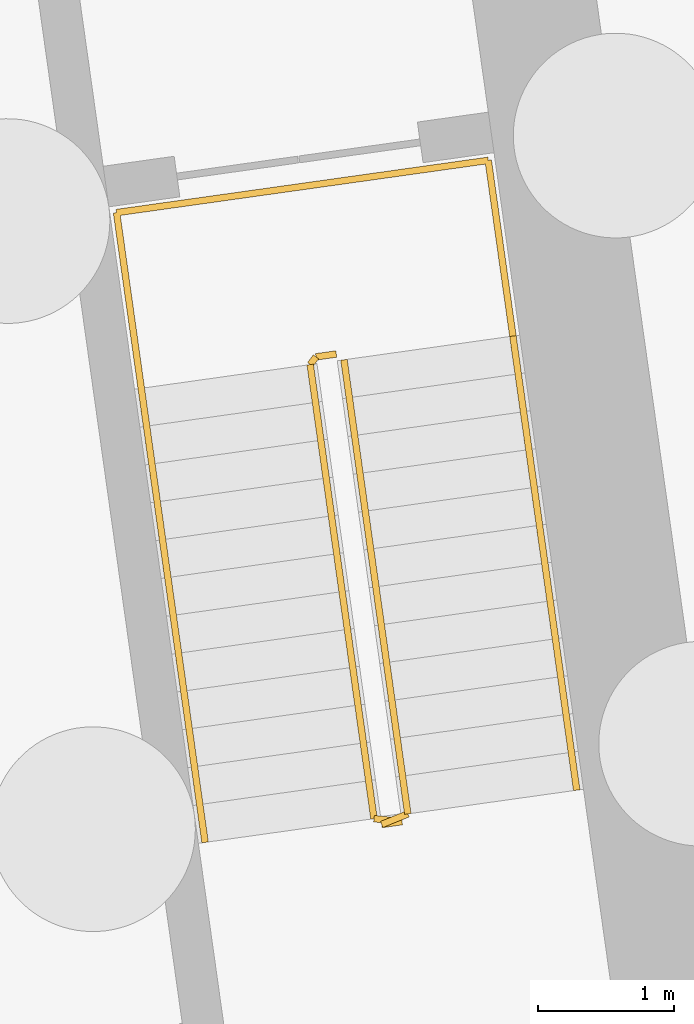
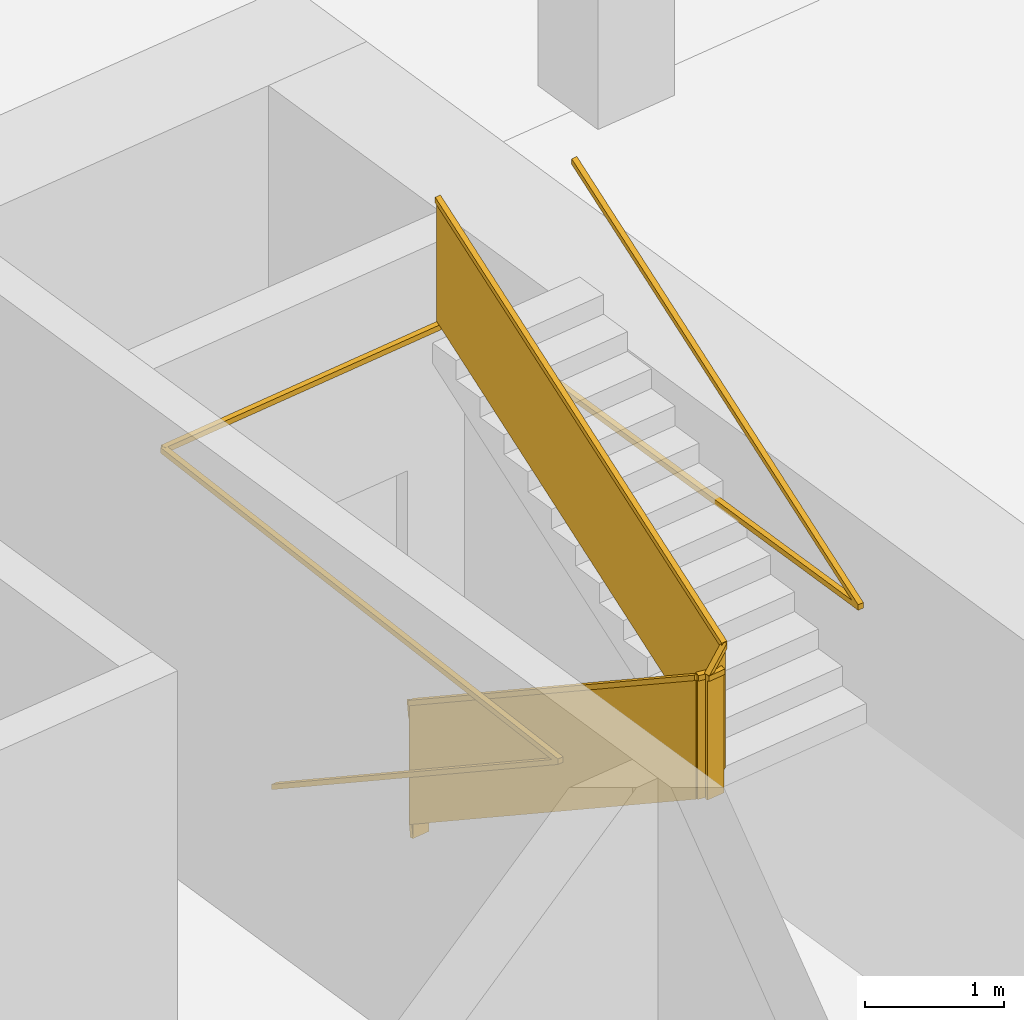
# One storey, part 18 of 19: 2 railings.
"""IFC4 building model written with IfcOpenShell, lengths in metres."""

from ifc_helpers import new_model, si_unit, direction, frame, origin, origin_2d, place, context, subcontext, project, spatial, rectangle, extrude, material, type_object, element, save


model = new_model("IFC4")

# Units and contexts
model_context = context("Model", 3, precision=1e-05, world=origin(), true_north=direction((0.0, 1.0)))
body_context = subcontext(model_context, "Body", "Model", "MODEL_VIEW")
ifc_project = project(units=[si_unit("LENGTHUNIT", "METRE"), si_unit("AREAUNIT", "SQUARE_METRE"), si_unit("VOLUMEUNIT", "CUBIC_METRE"), si_unit("PLANEANGLEUNIT", "RADIAN"), si_unit("MASSUNIT", "GRAM", prefix="KILO")], contexts=[model_context])

# Site, building, storey
site_placement = place(None, origin())
site = spatial("IfcSite", under=ifc_project, at=site_placement, CompositionType="ELEMENT")
building_placement = place(site_placement, origin())
building = spatial("IfcBuilding", under=site, at=building_placement, Name="Mirante Cascada Hotel Towers", CompositionType="ELEMENT")
storey_placement = place(building_placement, frame((0.0, 0.0, -9.0)))
storey = spatial("IfcBuildingStorey", under=building, at=storey_placement, Name="B2", CompositionType="ELEMENT", Elevation=-9.0)

# Railings
ifc_material_1 = material(Name="Painted steel", Category="steel")
railing_type_1 = type_object("IfcRailingType", Name="Stair guard 1100 steel balustrade", PredefinedType="GUARDRAIL", material=ifc_material_1)
railing_1_placement = place(storey_placement, frame((87.1361, -4.3713, 0.0)))
element("IfcRailing", 1, at=railing_1_placement, inside=storey, type_object=railing_type_1, Name="B2 ST2-C stair guard 1", PredefinedType="GUARDRAIL", context=body_context, shape_type="SweptSolid", body=[
    extrude(rectangle(XDim=0.048, YDim=0.048, at=origin_2d()), frame((0.0, 0.0, 1.076), z_axis=(-0.9902537, -0.1392753, 0.0), x_axis=(0.1392753, -0.9902537, 0.0)), (0.0, 0.0, 1.0), 0.1501),
    extrude(rectangle(XDim=0.02, YDim=1.052, at=origin_2d()), frame((0.0, 0.0, 0.526), z_axis=(-0.9902537, -0.1392753, 0.0), x_axis=(0.1392753, -0.9902537, 0.0)), (0.0, 0.0, 1.0), 0.1501),
    extrude(rectangle(XDim=0.048, YDim=0.048, at=origin_2d()), frame((-0.1486, -0.0209, 1.076), z_axis=(-0.601811, -0.7986386, 0.0), x_axis=(0.7986386, -0.601811, 0.0)), (0.0, 0.9259092, 0.3777462), 0.187),
    extrude(rectangle(XDim=0.02, YDim=1.052, at=origin_2d()), frame((-0.1486, -0.0209, 0.526), z_axis=(-0.601811, -0.7986386, 0.0), x_axis=(0.7986386, -0.601811, 0.0)), (0.0, 0.9259092, 0.3777462), 0.187),
    extrude(rectangle(XDim=0.048, YDim=0.048, at=origin_2d()), frame((-0.1911, -0.0773, 1.2491), z_axis=(0.1391668, -0.990269, 0.0), x_axis=(0.990269, 0.1391668, 0.0)), (0.0, 0.5257875, 0.8506159), 3.9501),
    extrude(rectangle(XDim=0.02, YDim=1.052, at=origin_2d()), frame((-0.1911, -0.0773, 0.6991), z_axis=(0.1391668, -0.990269, 0.0), x_axis=(0.990269, 0.1391668, 0.0)), (0.0, 0.5257875, 0.8506159), 3.9501),
    extrude(rectangle(XDim=0.048, YDim=0.048, at=origin_2d()), frame((0.2765, -3.4046, 3.326), z_axis=(0.9944441, -0.1052656, 0.0), x_axis=(0.1052656, 0.9944441, 0.0)), (0.0, 0.0, 1.0), 0.2061),
    extrude(rectangle(XDim=0.02, YDim=1.052, at=origin_2d()), frame((0.2765, -3.4046, 2.776), z_axis=(0.9944441, -0.1052656, 0.0), x_axis=(0.1052656, 0.9944441, 0.0)), (0.0, 0.0, 1.0), 0.2061),
    extrude(rectangle(XDim=0.048, YDim=0.048, at=origin_2d()), frame((0.4815, -3.4263, 3.326), z_axis=(-0.9902408, -0.1393672, 0.0), x_axis=(0.1393672, -0.9902408, 0.0)), (0.0, 0.0, 1.0), 0.15),
    extrude(rectangle(XDim=0.02, YDim=1.052, at=origin_2d()), frame((0.4815, -3.4263, 2.776), z_axis=(-0.9902408, -0.1393672, 0.0), x_axis=(0.1393672, -0.9902408, 0.0)), (0.0, 0.0, 1.0), 0.15),
    extrude(rectangle(XDim=0.048, YDim=0.048, at=origin_2d()), frame((0.333, -3.4472, 3.326), z_axis=(0.9268624, 0.3754011, 0.0), x_axis=(-0.3754011, 0.9268624, 0.0)), (0.0, 0.6429944, 0.7658709), 0.2692),
    extrude(rectangle(XDim=0.02, YDim=1.052, at=origin_2d()), frame((0.333, -3.4472, 2.776), z_axis=(0.9268624, 0.3754011, 0.0), x_axis=(-0.3754011, 0.9268624, 0.0)), (0.0, 0.6429944, 0.7658709), 0.2692),
    extrude(rectangle(XDim=0.048, YDim=0.048, at=origin_2d()), frame((0.5241, -3.3698, 3.4991), z_axis=(-0.139196, 0.9902648, 0.0), x_axis=(-0.9902648, -0.139196, 0.0)), (0.0, 0.525786, 0.8506169), 3.9501),
    extrude(rectangle(XDim=0.02, YDim=1.052, at=origin_2d()), frame((0.5241, -3.3698, 2.9491), z_axis=(-0.139196, 0.9902648, 0.0), x_axis=(-0.9902648, -0.139196, 0.0)), (0.0, 0.525786, 0.8506169), 3.9501),
])
ifc_material_2 = material(Name="Painted steel", Category="steel")
railing_type_2 = type_object("IfcRailingType", Name="Stair handrail 900 steel tube", PredefinedType="HANDRAIL", material=ifc_material_2)
railing_2_placement = place(storey_placement, frame((85.7071, -4.6226, 0.1731)))
element("IfcRailing", 2, at=railing_2_placement, inside=storey, type_object=railing_type_2, Name="B2 ST2-C stair handrail 1", PredefinedType="HANDRAIL", context=body_context, shape_type="SweptSolid", body=[
    extrude(rectangle(XDim=0.048, YDim=0.048, at=origin_2d()), frame((0.0, 0.0, 0.876), z_axis=(0.139196, -0.9902648, 0.0), x_axis=(0.9902648, 0.139196, 0.0)), (0.0, 0.525786, 0.8506169), 3.9501),
    extrude(rectangle(XDim=0.048, YDim=0.048, at=origin_2d()), frame((0.4677, -3.3273, 2.9529), z_axis=(-0.1391828, 0.9902667, 0.0), x_axis=(-0.9902667, -0.1391828, 0.0)), (0.0, 0.0371199, 0.9993108), 4.6633),
    extrude(rectangle(XDim=0.048, YDim=0.048, at=origin_2d()), frame((-0.1809, 1.2874, 3.126), z_axis=(0.9902691, 0.1391657, 0.0), x_axis=(-0.1391657, 0.9902691, 0.0)), (0.0, 0.0, 1.0), 2.75),
    extrude(rectangle(XDim=0.048, YDim=0.048, at=origin_2d()), frame((2.5423, 1.6701, 3.126), z_axis=(0.1391828, -0.9902667, 0.0), x_axis=(0.9902667, 0.1391828, 0.0)), (0.0, 0.0, 1.0), 4.6601),
    extrude(rectangle(XDim=0.048, YDim=0.048, at=origin_2d()), frame((3.1909, -2.9446, 3.126), z_axis=(-0.1391668, 0.990269, 0.0), x_axis=(-0.990269, -0.1391668, 0.0)), (0.0, 0.5257875, 0.8506159), 3.9501),
])

save(model, "model.ifc")
